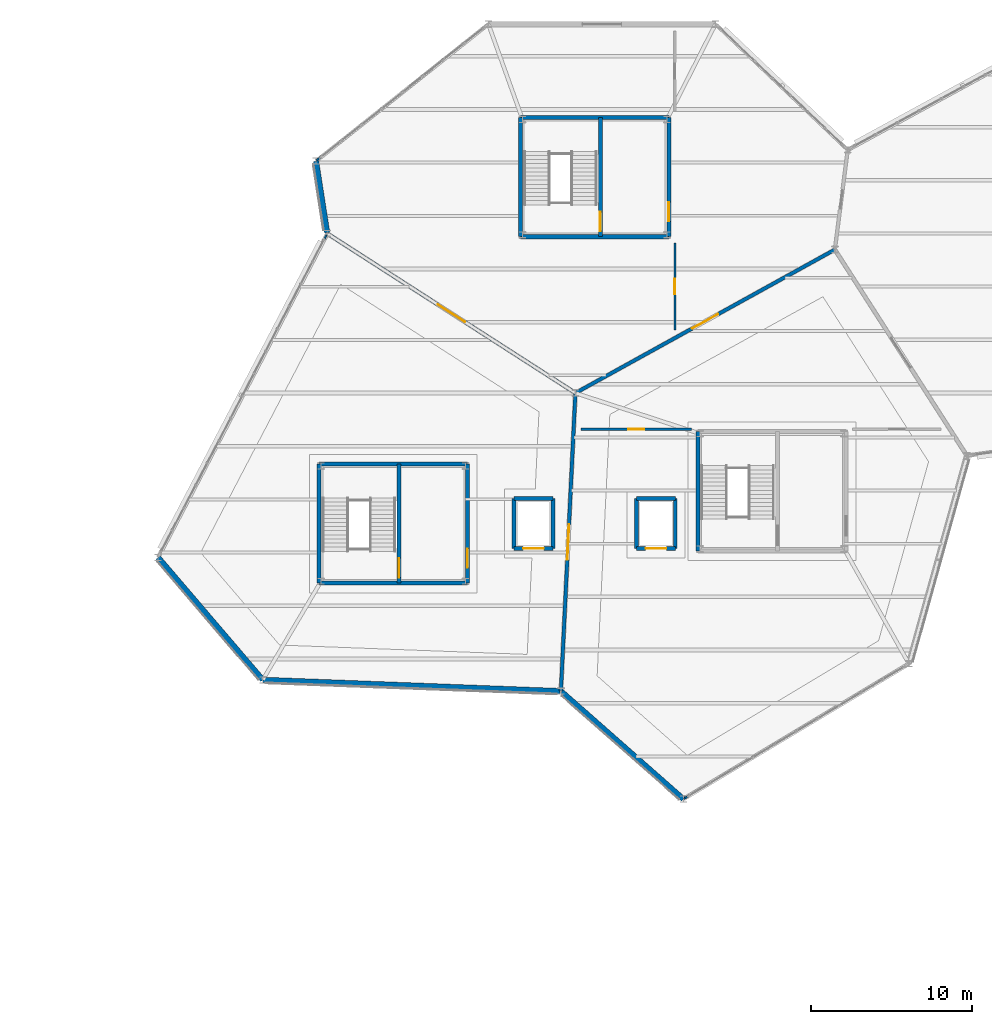
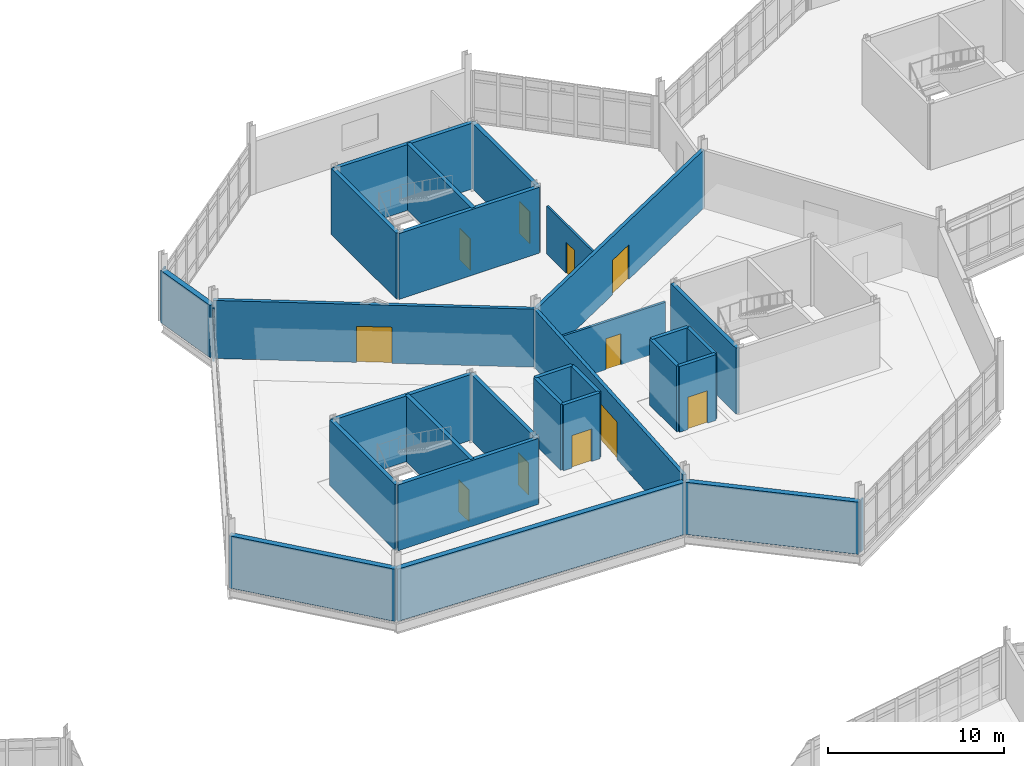
# One storey, part 115 of 134: 31 walls, 11 doors, 11 openings.
"""IFC4 building model written with IfcOpenShell, lengths in metres."""

from ifc_helpers import new_model, si_unit, direction, frame, frame_2d, origin, place, context, subcontext, project, spatial, rectangle, extrude, material, layer, layer_set, type_object, element, fill, save


model = new_model("IFC4")

# Units and contexts
model_context = context("Model", 3, precision=1e-05, world=origin(), true_north=direction((0.0, 1.0)))
body_context = subcontext(model_context, "Body", "Model", "MODEL_VIEW")
ifc_project = project(units=[si_unit("LENGTHUNIT", "METRE"), si_unit("AREAUNIT", "SQUARE_METRE"), si_unit("VOLUMEUNIT", "CUBIC_METRE"), si_unit("PLANEANGLEUNIT", "RADIAN"), si_unit("MASSUNIT", "GRAM", prefix="KILO")], contexts=[model_context])

# Site, building, storey
site_placement = place(None, origin())
site = spatial("IfcSite", under=ifc_project, at=site_placement, CompositionType="ELEMENT")
building_placement = place(site_placement, origin())
building = spatial("IfcBuilding", under=site, at=building_placement, Name="Tameran Prism Museum", CompositionType="ELEMENT")
storey_placement = place(building_placement, frame((0.0, 0.0, 5.39990234375)))
storey = spatial("IfcBuildingStorey", under=building, at=storey_placement, Name="L01", CompositionType="ELEMENT", Elevation=5.39990234375)

# Walls
ifc_material_1 = material(Name="Precast Concrete N40 (40 MPa)", Category="concrete")
ifc_layer_1 = layer(ifc_material_1, 0.094970703125)
ifc_layer_set_1 = layer_set([ifc_layer_1])
wall_type_1 = type_object("IfcWallType", Name="EW-CLOS-095", PredefinedType="SOLIDWALL", material=ifc_layer_set_1)
wall_1_placement = place(storey_placement, frame((103.2099609375, 98.636962890625, 0.0), z_axis=(0.0, 0.0, 1.0), x_axis=(0.464243799771, 0.885707454171, 0.0)))
element("IfcWall", 1, at=wall_1_placement, inside=storey, type_object=wall_type_1, Name="Facade Corner Closure EW-0165", PredefinedType="SOLIDWALL", context=body_context, shape_type="SweptSolid", body=[
    extrude(rectangle(XDim=0.30810546875, YDim=0.094970703125, at=frame_2d((0.154052734375, 0.0))), origin(), (0.0, 0.0, 1.0), 3.6201171875),
])
wall_2_placement = place(storey_placement, frame((125.800048828125, 64.080078125, 0.0), z_axis=(0.0, 0.0, 1.0), x_axis=(-0.858261853705, -0.513212032668, 0.0)))
element("IfcWall", 2, at=wall_2_placement, inside=storey, type_object=wall_type_1, Name="Facade Corner Closure EW-0169", PredefinedType="SOLIDWALL", context=body_context, shape_type="SweptSolid", body=[
    extrude(rectangle(XDim=0.307861328125, YDim=0.094970703125, at=frame_2d((0.15380859375, 0.0))), origin(), (0.0, 0.0, 1.0), 3.6201171875),
])
wall_3_placement = place(storey_placement, frame((102.73291015625, 103.52587890625, 0.0), z_axis=(0.0, 0.0, 1.0), x_axis=(0.782180115256, 0.623052379257, 0.0)))
element("IfcWall", 3, at=wall_3_placement, inside=storey, type_object=wall_type_1, Name="Facade Corner Closure EW-0174", PredefinedType="SOLIDWALL", context=body_context, shape_type="SweptSolid", body=[
    extrude(rectangle(XDim=0.308349609375, YDim=0.094970703125, at=frame_2d((0.154296875, 0.0))), origin(), (0.0, 0.0, 1.0), 3.6201171875),
])
ifc_material_2 = material(Name="Precast Concrete N40 (40 MPa)", Category="concrete")
ifc_layer_2 = layer(ifc_material_2, 0.340087890625)
ifc_layer_set_2 = layer_set([ifc_layer_2])
wall_type_2 = type_object("IfcWallType", Name="EW-GAL-340", PredefinedType="SOLIDWALL", material=ifc_layer_set_2)
wall_4_placement = place(storey_placement, frame((117.840087890625, 70.60205078125, 0.0), z_axis=(0.0, 0.0, 1.0), x_axis=(-0.999284381651, 0.037824920194, 0.0)))
element("IfcWall", 4, at=wall_4_placement, inside=storey, type_object=wall_type_2, Name="Exterior Fluted Precast Wall EW-0163", PredefinedType="SOLIDWALL", context=body_context, shape_type="SweptSolid", body=[
    extrude(rectangle(XDim=18.453369140625, YDim=0.340087890625, at=frame_2d((9.2265625, 0.0))), origin(), (0.0, 0.0, 1.0), 3.6201171875),
])
wall_5_placement = place(storey_placement, frame((99.39990234375, 71.300048828125, 0.0), z_axis=(0.0, 0.0, 1.0), x_axis=(-0.649974737731, 0.75995581471, 0.0)))
element("IfcWall", 5, at=wall_5_placement, inside=storey, type_object=wall_type_2, Name="Exterior Fluted Precast Wall EW-0166", PredefinedType="SOLIDWALL", context=body_context, shape_type="SweptSolid", body=[
    extrude(rectangle(XDim=10.00048828125, YDim=0.340087890625, at=frame_2d((5.000244140625, 0.0))), origin(), (0.0, 0.0, 1.0), 3.6201171875),
])
wall_6_placement = place(storey_placement, frame((125.5, 63.89990234375, 0.0), z_axis=(0.0, 0.0, 1.0), x_axis=(-0.750131359252, 0.661288850554, 0.0)))
element("IfcWall", 6, at=wall_6_placement, inside=storey, type_object=wall_type_2, Name="Exterior Fluted Precast Wall EW-0167", PredefinedType="SOLIDWALL", context=body_context, shape_type="SweptSolid", body=[
    extrude(rectangle(XDim=10.071533203125, YDim=0.340087890625, at=frame_2d((5.03564453125, 0.0))), origin(), (0.0, 0.0, 1.0), 3.6201171875),
])
wall_7_placement = place(storey_placement, frame((103.39111328125, 99.05908203125, 0.0), z_axis=(0.0, 0.0, 1.0), x_axis=(-0.153783616147, 0.988104548823, 0.0)))
element("IfcWall", 7, at=wall_7_placement, inside=storey, type_object=wall_type_2, Name="Exterior Fluted Precast Wall EW-0176", PredefinedType="SOLIDWALL", context=body_context, shape_type="SweptSolid", body=[
    extrude(rectangle(XDim=4.494384765625, YDim=0.340087890625, at=frame_2d((2.2470703125, 0.0))), origin(), (0.0, 0.0, 1.0), 3.6201171875),
])

# Wall, opening, door
ifc_material_3 = material(Name="Concrete N40 (40 MPa)", Category="concrete")
ifc_layer_3 = layer(ifc_material_3, 0.22509765625)
ifc_layer_set_3 = layer_set([ifc_layer_3])
wall_type_3 = type_object("IfcWallType", Name="IW-CMP-225", PredefinedType="SOLIDWALL", material=ifc_layer_set_3)
wall_8_placement = place(storey_placement, frame((117.89990234375, 70.60009765625, 0.0), z_axis=(0.0, 0.0, 1.0), x_axis=(0.048599072515, 0.998818366947, 0.0)))
wall_8 = element("IfcWall", 8, at=wall_8_placement, inside=storey, type_object=wall_type_3, Name="Compartment Wall IW-0076", PredefinedType="SOLIDWALL", context=body_context, shape_type="SweptSolid", body=[
    extrude(rectangle(XDim=18.52197265625, YDim=0.22509765625, at=frame_2d((9.260986328125, 0.0))), origin(), (0.0, 0.0, 1.0), 4.02001953125),
])
opening_1_placement = place(wall_8_placement, frame((8.160888671875, 0.0, 0.0)))
opening_1 = element("IfcOpeningElement", 9, at=opening_1_placement, cuts=wall_8, Name="Opening ID-0075", PredefinedType="OPENING", context=body_context, shape_type="SweptSolid", body=[
    extrude(rectangle(XDim=2.199951171875, YDim=2.60009765625, at=frame_2d((1.10009765625, 1.300048828125))), frame((0.0, 0.12255859375, 0.0), z_axis=(0.0, -1.0, 0.0), x_axis=(1.0, 0.0, 0.0)), (0.0, 0.0, 1.0), 0.2451171875),
])
ifc_material_4 = material(Name="Fire-Rated Steel Door Leaf and Frame", Category="steel")
door_type_1 = type_object("IfcDoorType", Name="DR-GAL-220", OperationType="DOUBLE_DOOR_SINGLE_SWING", PredefinedType="DOOR", material=ifc_material_4)
door_1_placement = place(opening_1_placement, origin())
door_1 = element("IfcDoor", 10, at=door_1_placement, inside=storey, type_object=door_type_1, Name="Compartment Door ID-0075", OperationType="DOUBLE_DOOR_SINGLE_SWING", OverallHeight=2.60009765625, OverallWidth=2.199951171875, PredefinedType="DOOR", context=body_context, shape_type="SweptSolid", body=[
    extrude(rectangle(XDim=2.199951171875, YDim=2.60009765625, at=frame_2d((1.10009765625, 1.300048828125))), frame((0.0, 0.02490234375, 0.0), z_axis=(0.0, -1.0, 0.0), x_axis=(1.0, 0.0, 0.0)), (0.0, 0.0, 1.0), 0.050048828125),
])
fill(opening_1, door_1)

wall_9_placement = place(storey_placement, frame((118.800048828125, 89.10009765625, 0.0), z_axis=(0.0, 0.0, 1.0), x_axis=(-0.841183241423, 0.540750177392, 0.0)))
wall_9 = element("IfcWall", 11, at=wall_9_placement, inside=storey, type_object=wall_type_3, Name="Compartment Wall IW-0077", PredefinedType="SOLIDWALL", context=body_context, shape_type="SweptSolid", body=[
    extrude(rectangle(XDim=18.3076171875, YDim=0.22509765625, at=frame_2d((9.15380859375, 0.0))), origin(), (0.0, 0.0, 1.0), 4.02001953125),
])
opening_2_placement = place(wall_9_placement, frame((8.154052734375, 0.0, 0.0)))
opening_2 = element("IfcOpeningElement", 12, at=opening_2_placement, cuts=wall_9, Name="Opening ID-0076", PredefinedType="OPENING", context=body_context, shape_type="SweptSolid", body=[
    extrude(rectangle(XDim=2.0, YDim=2.5, at=frame_2d((1.0, 1.25))), frame((0.0, 0.12255859375, 0.0), z_axis=(0.0, -1.0, 0.0), x_axis=(1.0, 0.0, 0.0)), (0.0, 0.0, 1.0), 0.2451171875),
])
ifc_material_5 = material(Name="Fire-Rated Steel Door Leaf and Frame", Category="steel")
door_type_2 = type_object("IfcDoorType", Name="DR-GAL-200", OperationType="DOUBLE_DOOR_SINGLE_SWING", PredefinedType="DOOR", material=ifc_material_5)
door_2_placement = place(opening_2_placement, origin())
door_2 = element("IfcDoor", 13, at=door_2_placement, inside=storey, type_object=door_type_2, Name="Compartment Door ID-0076", OperationType="DOUBLE_DOOR_SINGLE_SWING", OverallHeight=2.5, OverallWidth=2.0, PredefinedType="DOOR", context=body_context, shape_type="SweptSolid", body=[
    extrude(rectangle(XDim=2.0, YDim=2.5, at=frame_2d((1.0, 1.25))), frame((0.0, 0.02490234375, 0.0), z_axis=(0.0, -1.0, 0.0), x_axis=(1.0, 0.0, 0.0)), (0.0, 0.0, 1.0), 0.050048828125),
])
fill(opening_2, door_2)

wall_10_placement = place(storey_placement, frame((134.89990234375, 98.0, 0.0), z_axis=(0.0, 0.0, 1.0), x_axis=(-0.875181353329, -0.483794996652, 0.0)))
wall_10 = element("IfcWall", 14, at=wall_10_placement, inside=storey, type_object=wall_type_3, Name="Compartment Wall IW-0078", PredefinedType="SOLIDWALL", context=body_context, shape_type="SweptSolid", body=[
    extrude(rectangle(XDim=18.39599609375, YDim=0.22509765625, at=frame_2d((9.197998046875, 0.0))), origin(), (0.0, 0.0, 1.0), 4.02001953125),
])
opening_3_placement = place(wall_10_placement, frame((8.27294921875, 0.0, 0.0)))
opening_3 = element("IfcOpeningElement", 15, at=opening_3_placement, cuts=wall_10, Name="Opening ID-0077", PredefinedType="OPENING", context=body_context, shape_type="SweptSolid", body=[
    extrude(rectangle(XDim=1.85009765625, YDim=2.39990234375, at=frame_2d((0.925048828125, 1.199951171875))), frame((0.0, 0.12255859375, 0.0), z_axis=(0.0, -1.0, 0.0), x_axis=(1.0, 0.0, 0.0)), (0.0, 0.0, 1.0), 0.2451171875),
])
ifc_material_6 = material(Name="Fire-Rated Steel Door Leaf and Frame", Category="steel")
door_type_3 = type_object("IfcDoorType", Name="DR-GAL-185", OperationType="DOUBLE_DOOR_SINGLE_SWING", PredefinedType="DOOR", material=ifc_material_6)
door_3_placement = place(opening_3_placement, origin())
door_3 = element("IfcDoor", 16, at=door_3_placement, inside=storey, type_object=door_type_3, Name="Compartment Door ID-0077", OperationType="DOUBLE_DOOR_SINGLE_SWING", OverallHeight=2.39990234375, OverallWidth=1.85009765625, PredefinedType="DOOR", context=body_context, shape_type="SweptSolid", body=[
    extrude(rectangle(XDim=1.85009765625, YDim=2.39990234375, at=frame_2d((0.925048828125, 1.199951171875))), frame((0.0, 0.02490234375, 0.0), z_axis=(0.0, -1.0, 0.0), x_axis=(1.0, 0.0, 0.0)), (0.0, 0.0, 1.0), 0.050048828125),
])
fill(opening_3, door_3)

# Walls
ifc_material_7 = material(Name="Concrete N40 (40 MPa)", Category="concrete")
ifc_layer_4 = layer(ifc_material_7, 0.25)
ifc_layer_set_4 = layer_set([ifc_layer_4])
wall_type_4 = type_object("IfcWallType", Name="IW-COR-250", PredefinedType="SHEAR", material=ifc_layer_set_4)
wall_11_placement = place(storey_placement, frame((102.89990234375, 77.300048828125, 0.0), z_axis=(0.0, 0.0, 1.0), x_axis=(0.0, 1.0, 0.0)))
element("IfcWall", 17, at=wall_11_placement, inside=storey, type_object=wall_type_4, Name="Core Shear Wall CW-1-L01-W", PredefinedType="SHEAR", context=body_context, shape_type="SweptSolid", body=[
    extrude(rectangle(XDim=7.39990234375, YDim=0.25, at=frame_2d((3.699951171875, 0.0))), origin(), (0.0, 0.0, 1.0), 4.56005859375),
])
for number, where, z_axis, x_axis, name in (
    (18, (102.89990234375, 84.699951171875, 0.0), (0.0, 0.0, 1.0), (1.0, 0.0, 0.0), "Core Shear Wall CW-1-L01-N"),
    (19, (112.10009765625, 77.300048828125, 0.0), (0.0, 0.0, 1.0), (-1.0, 0.0, 0.0), "Core Shear Wall CW-1-L01-S"),
):
    element("IfcWall", number, at=place(storey_placement, frame(where, z_axis=z_axis, x_axis=x_axis)), inside=storey, type_object=wall_type_4, Name=name, PredefinedType="SHEAR", context=body_context, shape_type="SweptSolid", body=[
        extrude(rectangle(XDim=9.2001953125, YDim=0.25, at=frame_2d((4.60009765625, 0.0))), origin(), (0.0, 0.0, 1.0), 4.56005859375),
    ])

# Wall, opening, door
wall_12_placement = place(storey_placement, frame((112.10009765625, 84.699951171875, 0.0), z_axis=(0.0, 0.0, 1.0), x_axis=(0.0, -1.0, 0.0)))
wall_12 = element("IfcWall", 20, at=wall_12_placement, inside=storey, type_object=wall_type_4, Name="Core Shear Wall CW-1-L01-E", PredefinedType="SHEAR", context=body_context, shape_type="SweptSolid", body=[
    extrude(rectangle(XDim=7.39990234375, YDim=0.25, at=frame_2d((3.699951171875, 0.0))), origin(), (0.0, 0.0, 1.0), 4.56005859375),
])
opening_4_placement = place(wall_12_placement, frame((5.25, 0.0, 0.0)))
opening_4 = element("IfcOpeningElement", 21, at=opening_4_placement, cuts=wall_12, Name="Opening FD-0173", PredefinedType="OPENING", context=body_context, shape_type="SweptSolid", body=[
    extrude(rectangle(XDim=1.199951171875, YDim=2.199951171875, at=frame_2d((0.60009765625, 1.10009765625))), frame((0.0, 0.135009765625, 0.0), z_axis=(0.0, -1.0, 0.0), x_axis=(1.0, 0.0, 0.0)), (0.0, 0.0, 1.0), 0.27001953125),
])
ifc_material_8 = material(Name="Fire-Rated Steel Door Leaf and Frame", Category="steel")
door_type_4 = type_object("IfcDoorType", Name="DR-FD-120A", OperationType="NOTDEFINED", PredefinedType="DOOR", material=ifc_material_8)
door_4_placement = place(opening_4_placement, origin())
door_4 = element("IfcDoor", 22, at=door_4_placement, inside=storey, type_object=door_type_4, Name="Core Fire Door FD-0173", OperationType="SINGLE_SWING_LEFT", OverallHeight=2.199951171875, OverallWidth=1.199951171875, PredefinedType="DOOR", context=body_context, shape_type="SweptSolid", body=[
    extrude(rectangle(XDim=1.199951171875, YDim=2.199951171875, at=frame_2d((0.60009765625, 1.10009765625))), frame((0.0, 0.02490234375, 0.0), z_axis=(0.0, -1.0, 0.0), x_axis=(1.0, 0.0, 0.0)), (0.0, 0.0, 1.0), 0.050048828125),
])
fill(opening_4, door_4)

wall_13_placement = place(storey_placement, frame((107.85009765625, 84.699951171875, 0.0), z_axis=(0.0, 0.0, 1.0), x_axis=(0.0, -1.0, 0.0)))
wall_13 = element("IfcWall", 23, at=wall_13_placement, inside=storey, type_object=wall_type_4, Name="Core Shear Wall CW-1-L01-M", PredefinedType="SHEAR", context=body_context, shape_type="SweptSolid", body=[
    extrude(rectangle(XDim=7.39990234375, YDim=0.25, at=frame_2d((3.699951171875, 0.0))), origin(), (0.0, 0.0, 1.0), 4.56005859375),
])
opening_5_placement = place(wall_13_placement, frame((5.85009765625, 0.0, 0.0)))
opening_5 = element("IfcOpeningElement", 24, at=opening_5_placement, cuts=wall_13, Name="Opening FD-0174", PredefinedType="OPENING", context=body_context, shape_type="SweptSolid", body=[
    extrude(rectangle(XDim=1.199951171875, YDim=2.199951171875, at=frame_2d((0.60009765625, 1.10009765625))), frame((0.0, 0.135009765625, 0.0), z_axis=(0.0, -1.0, 0.0), x_axis=(1.0, 0.0, 0.0)), (0.0, 0.0, 1.0), 0.27001953125),
])
door_5_placement = place(opening_5_placement, origin())
door_5 = element("IfcDoor", 25, at=door_5_placement, inside=storey, type_object=door_type_4, Name="Core Fire Door FD-0174", OperationType="SINGLE_SWING_RIGHT", OverallHeight=2.199951171875, OverallWidth=1.199951171875, PredefinedType="DOOR", context=body_context, shape_type="SweptSolid", body=[
    extrude(rectangle(XDim=1.199951171875, YDim=2.199951171875, at=frame_2d((0.60009765625, 1.10009765625))), frame((0.0, 0.02490234375, 0.0), z_axis=(0.0, -1.0, 0.0), x_axis=(1.0, 0.0, 0.0)), (0.0, 0.0, 1.0), 0.050048828125),
])
fill(opening_5, door_5)

# Walls
for number, where, z_axis, x_axis, name in (
    (26, (126.39990234375, 79.300048828125, 0.0), (0.0, 0.0, 1.0), (0.0, 1.0, 0.0), "Core Shear Wall CW-2-L01-W"),
    (27, (115.39990234375, 98.800048828125, 0.0), (0.0, 0.0, 1.0), (0.0, 1.0, 0.0), "Core Shear Wall CW-7-L01-W"),
):
    element("IfcWall", number, at=place(storey_placement, frame(where, z_axis=z_axis, x_axis=x_axis)), inside=storey, type_object=wall_type_4, Name=name, PredefinedType="SHEAR", context=body_context, shape_type="SweptSolid", body=[
        extrude(rectangle(XDim=7.39990234375, YDim=0.25, at=frame_2d((3.699951171875, 0.0))), origin(), (0.0, 0.0, 1.0), 4.56005859375),
    ])
for number, where, z_axis, x_axis, name in (
    (28, (115.39990234375, 106.199951171875, 0.0), (0.0, 0.0, 1.0), (1.0, 0.0, 0.0), "Core Shear Wall CW-7-L01-N"),
    (29, (124.60009765625, 98.800048828125, 0.0), (0.0, 0.0, 1.0), (-1.0, 0.0, 0.0), "Core Shear Wall CW-7-L01-S"),
):
    element("IfcWall", number, at=place(storey_placement, frame(where, z_axis=z_axis, x_axis=x_axis)), inside=storey, type_object=wall_type_4, Name=name, PredefinedType="SHEAR", context=body_context, shape_type="SweptSolid", body=[
        extrude(rectangle(XDim=9.2001953125, YDim=0.25, at=frame_2d((4.60009765625, 0.0))), origin(), (0.0, 0.0, 1.0), 4.56005859375),
    ])

# Wall, opening, door
wall_14_placement = place(storey_placement, frame((124.60009765625, 106.199951171875, 0.0), z_axis=(0.0, 0.0, 1.0), x_axis=(0.0, -1.0, 0.0)))
wall_14 = element("IfcWall", 30, at=wall_14_placement, inside=storey, type_object=wall_type_4, Name="Core Shear Wall CW-7-L01-E", PredefinedType="SHEAR", context=body_context, shape_type="SweptSolid", body=[
    extrude(rectangle(XDim=7.39990234375, YDim=0.25, at=frame_2d((3.699951171875, 0.0))), origin(), (0.0, 0.0, 1.0), 4.56005859375),
])
opening_6_placement = place(wall_14_placement, frame((5.25, 0.0, 0.0)))
opening_6 = element("IfcOpeningElement", 31, at=opening_6_placement, cuts=wall_14, Name="Opening FD-0201", PredefinedType="OPENING", context=body_context, shape_type="SweptSolid", body=[
    extrude(rectangle(XDim=1.199951171875, YDim=2.199951171875, at=frame_2d((0.60009765625, 1.10009765625))), frame((0.0, 0.135009765625, 0.0), z_axis=(0.0, -1.0, 0.0), x_axis=(1.0, 0.0, 0.0)), (0.0, 0.0, 1.0), 0.27001953125),
])
door_6_placement = place(opening_6_placement, origin())
door_6 = element("IfcDoor", 32, at=door_6_placement, inside=storey, type_object=door_type_4, Name="Core Fire Door FD-0201", OperationType="SINGLE_SWING_LEFT", OverallHeight=2.199951171875, OverallWidth=1.199951171875, PredefinedType="DOOR", context=body_context, shape_type="SweptSolid", body=[
    extrude(rectangle(XDim=1.199951171875, YDim=2.199951171875, at=frame_2d((0.60009765625, 1.10009765625))), frame((0.0, 0.02490234375, 0.0), z_axis=(0.0, -1.0, 0.0), x_axis=(1.0, 0.0, 0.0)), (0.0, 0.0, 1.0), 0.050048828125),
])
fill(opening_6, door_6)

wall_15_placement = place(storey_placement, frame((120.35009765625, 106.199951171875, 0.0), z_axis=(0.0, 0.0, 1.0), x_axis=(0.0, -1.0, 0.0)))
wall_15 = element("IfcWall", 33, at=wall_15_placement, inside=storey, type_object=wall_type_4, Name="Core Shear Wall CW-7-L01-M", PredefinedType="SHEAR", context=body_context, shape_type="SweptSolid", body=[
    extrude(rectangle(XDim=7.39990234375, YDim=0.25, at=frame_2d((3.699951171875, 0.0))), origin(), (0.0, 0.0, 1.0), 4.56005859375),
])
opening_7_placement = place(wall_15_placement, frame((5.85009765625, 0.0, 0.0)))
opening_7 = element("IfcOpeningElement", 34, at=opening_7_placement, cuts=wall_15, Name="Opening FD-0202", PredefinedType="OPENING", context=body_context, shape_type="SweptSolid", body=[
    extrude(rectangle(XDim=1.199951171875, YDim=2.199951171875, at=frame_2d((0.60009765625, 1.10009765625))), frame((0.0, 0.135009765625, 0.0), z_axis=(0.0, -1.0, 0.0), x_axis=(1.0, 0.0, 0.0)), (0.0, 0.0, 1.0), 0.27001953125),
])
door_7_placement = place(opening_7_placement, origin())
door_7 = element("IfcDoor", 35, at=door_7_placement, inside=storey, type_object=door_type_4, Name="Core Fire Door FD-0202", OperationType="SINGLE_SWING_RIGHT", OverallHeight=2.199951171875, OverallWidth=1.199951171875, PredefinedType="DOOR", context=body_context, shape_type="SweptSolid", body=[
    extrude(rectangle(XDim=1.199951171875, YDim=2.199951171875, at=frame_2d((0.60009765625, 1.10009765625))), frame((0.0, 0.02490234375, 0.0), z_axis=(0.0, -1.0, 0.0), x_axis=(1.0, 0.0, 0.0)), (0.0, 0.0, 1.0), 0.050048828125),
])
fill(opening_7, door_7)

# Walls
ifc_material_9 = material(Name="Concrete N40 (40 MPa)", Category="concrete")
ifc_layer_5 = layer(ifc_material_9, 0.239990234375)
ifc_layer_set_5 = layer_set([ifc_layer_5])
wall_type_5 = type_object("IfcWallType", Name="IW-LFT-240", PredefinedType="SHEAR", material=ifc_layer_set_5)
wall_16_placement = place(storey_placement, frame((115.0, 82.550048828125, 0.0), z_axis=(0.0, 0.0, 1.0), x_axis=(1.0, 0.0, 0.0)))
element("IfcWall", 36, at=wall_16_placement, inside=storey, type_object=wall_type_5, Name="Lift Shaft Wall LW-EL01-L01N", PredefinedType="SHEAR", context=body_context, shape_type="SweptSolid", body=[
    extrude(rectangle(XDim=2.39990234375, YDim=0.239990234375, at=frame_2d((1.199951171875, 0.0))), origin(), (0.0, 0.0, 1.0), 4.56005859375),
])
for number, where, z_axis, x_axis, name in (
    (37, (117.39990234375, 82.550048828125, 0.0), (0.0, 0.0, 1.0), (0.0, -1.0, 0.0), "Lift Shaft Wall LW-EL01-L01E"),
    (38, (115.0, 79.449951171875, 0.0), (0.0, 0.0, 1.0), (0.0, 1.0, 0.0), "Lift Shaft Wall LW-EL01-L01W"),
):
    element("IfcWall", number, at=place(storey_placement, frame(where, z_axis=z_axis, x_axis=x_axis)), inside=storey, type_object=wall_type_5, Name=name, PredefinedType="SHEAR", context=body_context, shape_type="SweptSolid", body=[
        extrude(rectangle(XDim=3.10009765625, YDim=0.239990234375, at=frame_2d((1.550048828125, 0.0))), origin(), (0.0, 0.0, 1.0), 4.56005859375),
    ])

# Wall, opening, door
wall_17_placement = place(storey_placement, frame((117.39990234375, 79.449951171875, 0.0), z_axis=(0.0, 0.0, 1.0), x_axis=(-1.0, 0.0, 0.0)))
wall_17 = element("IfcWall", 39, at=wall_17_placement, inside=storey, type_object=wall_type_5, Name="Lift Shaft Wall LW-EL01-L01S", PredefinedType="SHEAR", context=body_context, shape_type="SweptSolid", body=[
    extrude(rectangle(XDim=2.39990234375, YDim=0.239990234375, at=frame_2d((1.199951171875, 0.0))), origin(), (0.0, 0.0, 1.0), 4.56005859375),
])
opening_8_placement = place(wall_17_placement, frame((0.550048828125, 0.0, 0.0)))
opening_8 = element("IfcOpeningElement", 40, at=opening_8_placement, cuts=wall_17, Name="Opening LD-EL01-L01", PredefinedType="OPENING", context=body_context, shape_type="SweptSolid", body=[
    extrude(rectangle(XDim=1.300048828125, YDim=2.25, at=frame_2d((0.64990234375, 1.125))), frame((0.0, 0.1298828125, 0.0), z_axis=(0.0, -1.0, 0.0), x_axis=(1.0, 0.0, 0.0)), (0.0, 0.0, 1.0), 0.260009765625),
])
ifc_material_10 = material(Name="Fire-Rated Steel Door Leaf and Frame", Category="steel")
door_type_5 = type_object("IfcDoorType", Name="DR-LD-EL", OperationType="SLIDING_TO_LEFT", PredefinedType="DOOR", material=ifc_material_10)
door_8_placement = place(opening_8_placement, origin())
door_8 = element("IfcDoor", 41, at=door_8_placement, inside=storey, type_object=door_type_5, Name="Emergency Stretcher Lift EL-01 Landing Door L01", OperationType="SLIDING_TO_LEFT", OverallHeight=2.25, OverallWidth=1.300048828125, PredefinedType="DOOR", context=body_context, shape_type="SweptSolid", body=[
    extrude(rectangle(XDim=1.300048828125, YDim=2.25, at=frame_2d((0.64990234375, 1.125))), frame((0.0, 0.02490234375, 0.0), z_axis=(0.0, -1.0, 0.0), x_axis=(1.0, 0.0, 0.0)), (0.0, 0.0, 1.0), 0.050048828125),
])
fill(opening_8, door_8)

# Walls
wall_18_placement = place(storey_placement, frame((122.60009765625, 82.550048828125, 0.0), z_axis=(0.0, 0.0, 1.0), x_axis=(1.0, 0.0, 0.0)))
element("IfcWall", 42, at=wall_18_placement, inside=storey, type_object=wall_type_5, Name="Lift Shaft Wall LW-EL02-L01N", PredefinedType="SHEAR", context=body_context, shape_type="SweptSolid", body=[
    extrude(rectangle(XDim=2.39990234375, YDim=0.239990234375, at=frame_2d((1.199951171875, 0.0))), origin(), (0.0, 0.0, 1.0), 4.56005859375),
])
for number, where, z_axis, x_axis, name in (
    (43, (125.0, 82.550048828125, 0.0), (0.0, 0.0, 1.0), (0.0, -1.0, 0.0), "Lift Shaft Wall LW-EL02-L01E"),
    (44, (122.60009765625, 79.449951171875, 0.0), (0.0, 0.0, 1.0), (0.0, 1.0, 0.0), "Lift Shaft Wall LW-EL02-L01W"),
):
    element("IfcWall", number, at=place(storey_placement, frame(where, z_axis=z_axis, x_axis=x_axis)), inside=storey, type_object=wall_type_5, Name=name, PredefinedType="SHEAR", context=body_context, shape_type="SweptSolid", body=[
        extrude(rectangle(XDim=3.10009765625, YDim=0.239990234375, at=frame_2d((1.550048828125, 0.0))), origin(), (0.0, 0.0, 1.0), 4.56005859375),
    ])

# Wall, opening, door
wall_19_placement = place(storey_placement, frame((125.0, 79.449951171875, 0.0), z_axis=(0.0, 0.0, 1.0), x_axis=(-1.0, 0.0, 0.0)))
wall_19 = element("IfcWall", 45, at=wall_19_placement, inside=storey, type_object=wall_type_5, Name="Lift Shaft Wall LW-EL02-L01S", PredefinedType="SHEAR", context=body_context, shape_type="SweptSolid", body=[
    extrude(rectangle(XDim=2.39990234375, YDim=0.239990234375, at=frame_2d((1.199951171875, 0.0))), origin(), (0.0, 0.0, 1.0), 4.56005859375),
])
opening_9_placement = place(wall_19_placement, frame((0.550048828125, 0.0, 0.0)))
opening_9 = element("IfcOpeningElement", 46, at=opening_9_placement, cuts=wall_19, Name="Opening LD-EL02-L01", PredefinedType="OPENING", context=body_context, shape_type="SweptSolid", body=[
    extrude(rectangle(XDim=1.300048828125, YDim=2.25, at=frame_2d((0.64990234375, 1.125))), frame((0.0, 0.1298828125, 0.0), z_axis=(0.0, -1.0, 0.0), x_axis=(1.0, 0.0, 0.0)), (0.0, 0.0, 1.0), 0.260009765625),
])
door_9_placement = place(opening_9_placement, origin())
door_9 = element("IfcDoor", 47, at=door_9_placement, inside=storey, type_object=door_type_5, Name="Emergency Stretcher Lift EL-02 Landing Door L01", OperationType="SLIDING_TO_LEFT", OverallHeight=2.25, OverallWidth=1.300048828125, PredefinedType="DOOR", context=body_context, shape_type="SweptSolid", body=[
    extrude(rectangle(XDim=1.300048828125, YDim=2.25, at=frame_2d((0.64990234375, 1.125))), frame((0.0, 0.02490234375, 0.0), z_axis=(0.0, -1.0, 0.0), x_axis=(1.0, 0.0, 0.0)), (0.0, 0.0, 1.0), 0.050048828125),
])
fill(opening_9, door_9)

ifc_material_11 = material(Name="Wet-Area Fibre-Cement Stud Partition")
ifc_layer_6 = layer(ifc_material_11, 0.1298828125)
ifc_layer_set_6 = layer_set([ifc_layer_6])
wall_type_6 = type_object("IfcWallType", Name="IW-PRT-130", PredefinedType="PARTITIONING", material=ifc_layer_set_6)
wall_20_placement = place(storey_placement, frame((124.971923828125, 93.02587890625, 0.0), z_axis=(0.0, 0.0, 1.0), x_axis=(0.0, 1.0, 0.0)))
wall_20 = element("IfcWall", 48, at=wall_20_placement, inside=storey, type_object=wall_type_6, Name="Internal Partition PT-0101", PredefinedType="PARTITIONING", context=body_context, shape_type="SweptSolid", body=[
    extrude(rectangle(XDim=5.3740234375, YDim=0.1298828125, at=frame_2d((2.68701171875, 0.0))), origin(), (0.0, 0.0, 1.0), 3.320068359375),
])
opening_10_placement = place(wall_20_placement, frame((2.2119140625, 0.0, 0.0)))
opening_10 = element("IfcOpeningElement", 49, at=opening_10_placement, cuts=wall_20, Name="Opening ID-0100", PredefinedType="OPENING", context=body_context, shape_type="SweptSolid", body=[
    extrude(rectangle(XDim=0.949951171875, YDim=2.14990234375, at=frame_2d((0.47509765625, 1.074951171875))), frame((0.0, 0.074951171875, 0.0), z_axis=(0.0, -1.0, 0.0), x_axis=(1.0, 0.0, 0.0)), (0.0, 0.0, 1.0), 0.14990234375),
])
ifc_material_12 = material(Name="Acoustic Solid-Core Timber Door", Category="wood")
door_type_6 = type_object("IfcDoorType", Name="DR-INT-095", OperationType="NOTDEFINED", PredefinedType="DOOR", material=ifc_material_12)
door_10_placement = place(opening_10_placement, origin())
door_10 = element("IfcDoor", 50, at=door_10_placement, inside=storey, type_object=door_type_6, Name="Interior Room Door ID-0100", OperationType="SINGLE_SWING_LEFT", OverallHeight=2.14990234375, OverallWidth=0.949951171875, PredefinedType="DOOR", context=body_context, shape_type="SweptSolid", body=[
    extrude(rectangle(XDim=0.949951171875, YDim=2.14990234375, at=frame_2d((0.47509765625, 1.074951171875))), frame((0.0, 0.02490234375, 0.0), z_axis=(0.0, -1.0, 0.0), x_axis=(1.0, 0.0, 0.0)), (0.0, 0.0, 1.0), 0.050048828125),
])
fill(opening_10, door_10)

ifc_material_13 = material(Name="Laboratory Moisture-Resistant Partition")
ifc_layer_7 = layer(ifc_material_13, 0.14990234375)
ifc_layer_set_7 = layer_set([ifc_layer_7])
wall_type_7 = type_object("IfcWallType", Name="IW-PRT-150", PredefinedType="PARTITIONING", material=ifc_layer_set_7)
wall_21_placement = place(storey_placement, frame((119.14208984375, 86.85888671875, 0.0), z_axis=(0.0, 0.0, 1.0), x_axis=(1.0, 0.0, 0.0)))
wall_21 = element("IfcWall", 51, at=wall_21_placement, inside=storey, type_object=wall_type_7, Name="Internal Partition PT-0099", PredefinedType="PARTITIONING", context=body_context, shape_type="SweptSolid", body=[
    extrude(rectangle(XDim=6.85791015625, YDim=0.14990234375, at=frame_2d((3.428955078125, 0.0))), origin(), (0.0, 0.0, 1.0), 3.320068359375),
])
opening_11_placement = place(wall_21_placement, frame((2.93896484375, 0.0, 0.0)))
opening_11 = element("IfcOpeningElement", 52, at=opening_11_placement, cuts=wall_21, Name="Opening ID-0098", PredefinedType="OPENING", context=body_context, shape_type="SweptSolid", body=[
    extrude(rectangle(XDim=0.97998046875, YDim=2.14990234375, at=frame_2d((0.489990234375, 1.074951171875))), frame((0.0, 0.0849609375, 0.0), z_axis=(0.0, -1.0, 0.0), x_axis=(1.0, 0.0, 0.0)), (0.0, 0.0, 1.0), 0.169921875),
])
ifc_material_14 = material(Name="Acoustic Solid-Core Timber Door", Category="wood")
door_type_7 = type_object("IfcDoorType", Name="DR-INT-098", OperationType="NOTDEFINED", PredefinedType="DOOR", material=ifc_material_14)
door_11_placement = place(opening_11_placement, origin())
door_11 = element("IfcDoor", 53, at=door_11_placement, inside=storey, type_object=door_type_7, Name="Interior Room Door ID-0098", OperationType="SINGLE_SWING_LEFT", OverallHeight=2.14990234375, OverallWidth=0.97998046875, PredefinedType="DOOR", context=body_context, shape_type="SweptSolid", body=[
    extrude(rectangle(XDim=0.97998046875, YDim=2.14990234375, at=frame_2d((0.489990234375, 1.074951171875))), frame((0.0, 0.02490234375, 0.0), z_axis=(0.0, -1.0, 0.0), x_axis=(1.0, 0.0, 0.0)), (0.0, 0.0, 1.0), 0.050048828125),
])
fill(opening_11, door_11)

save(model, "model.ifc")
